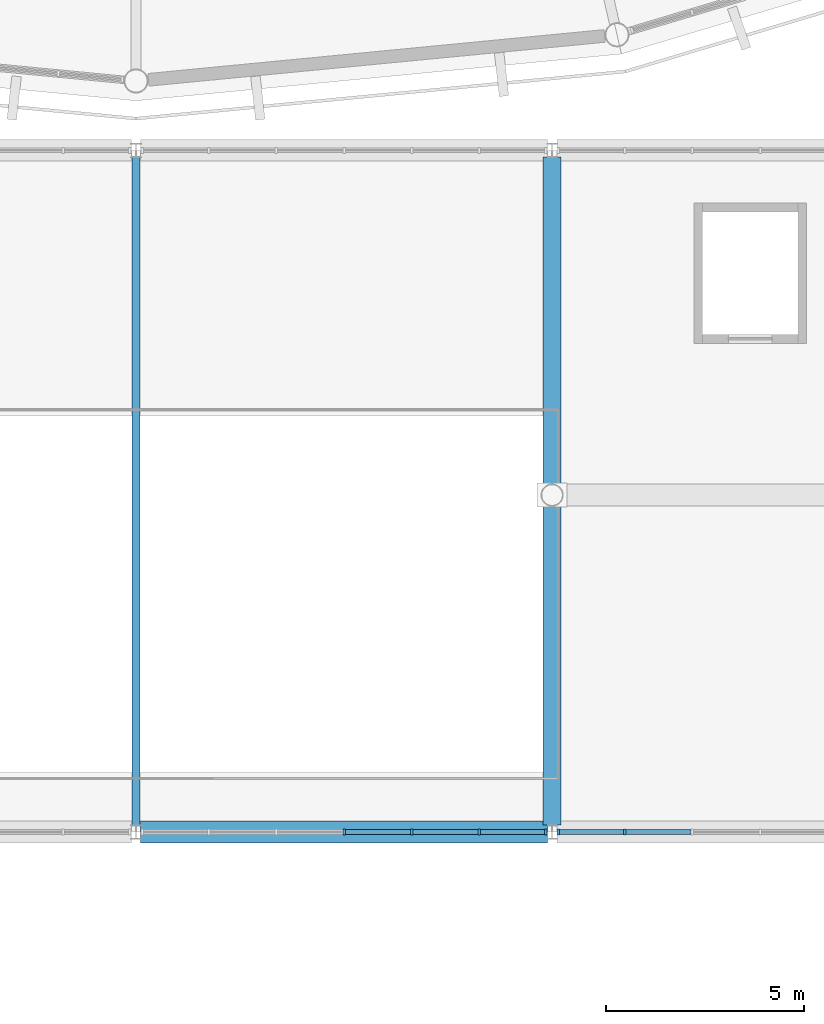
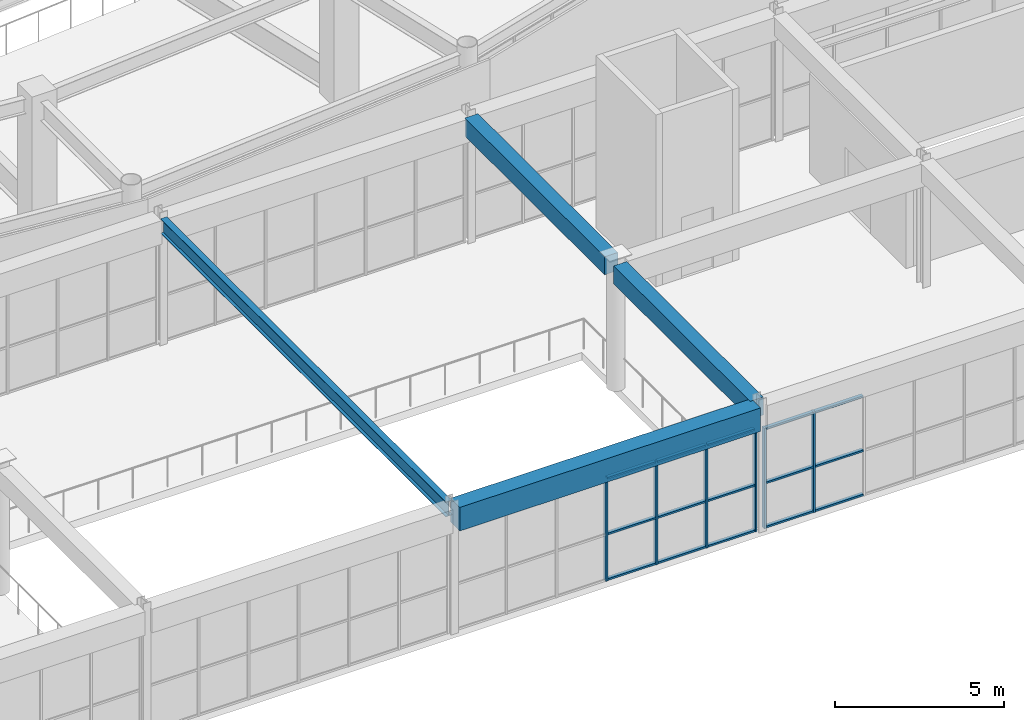
# One storey, part 31 of 122: 21 members, 4 beams, 2 elements without a shape of their own.
"""IFC4 building model written with IfcOpenShell, lengths in metres."""

from ifc_helpers import new_model, si_unit, direction, frame, origin, origin_2d, place, context, subcontext, project, spatial, rectangle, i_section, extrude, material, material_profile, profile_set, type_object, element, aggregate, save


model = new_model("IFC4")

# Units and contexts
model_context = context("Model", 3, precision=1e-05, world=origin(), true_north=direction((0.0, 1.0)))
body_context = subcontext(model_context, "Body", "Model", "MODEL_VIEW")
ifc_project = project(units=[si_unit("LENGTHUNIT", "METRE"), si_unit("AREAUNIT", "SQUARE_METRE"), si_unit("VOLUMEUNIT", "CUBIC_METRE"), si_unit("PLANEANGLEUNIT", "RADIAN"), si_unit("MASSUNIT", "GRAM", prefix="KILO")], contexts=[model_context])

# Site, building, storey
site_placement = place(None, origin())
site = spatial("IfcSite", under=ifc_project, at=site_placement, CompositionType="ELEMENT")
building_placement = place(site_placement, origin())
building = spatial("IfcBuilding", under=site, at=building_placement, Name="Cuetzalor Civic Arena", CompositionType="ELEMENT")
storey_placement = place(building_placement, frame((0.0, 0.0, 16.199951171875)))
storey = spatial("IfcBuildingStorey", under=building, at=storey_placement, Name="L03", CompositionType="ELEMENT", Elevation=16.199951171875)

# Beams
ifc_material_1 = material(Name="Concrete C40/50", Category="concrete")
ifc_material_profile_1 = material_profile(ifc_material_1, rectangle(XDim=0.550048828125, YDim=0.85009765625, at=origin_2d()), Name="RC 550x850")
ifc_profile_set_1 = profile_set([ifc_material_profile_1], Name="Concrete C40/50")
beam_type_1 = type_object("IfcBeamType", Name="ConcreteFrameBeam_550x850", PredefinedType="BEAM", material=ifc_profile_set_1)
beam_1_placement = place(storey_placement, frame((0.118408203125, -65.5, 4.155029296875), z_axis=(1.0, 0.0, 0.0), x_axis=(0.0, 1.0, 0.0)))
element("IfcBeam", 1, at=beam_1_placement, inside=storey, type_object=beam_type_1, Name="Frame Girder V3-L03-X0857", PredefinedType="BEAM", context=body_context, shape_type="SweptSolid", body=[
    extrude(rectangle(XDim=0.550048828125, YDim=0.85009765625, at=origin_2d()), origin(), (0.0, 0.0, 1.0), 10.26318359375),
])
ifc_material_2 = material(Name="Concrete C40/50", Category="concrete")
ifc_material_profile_2 = material_profile(ifc_material_2, rectangle(XDim=0.449951171875, YDim=0.64990234375, at=origin_2d()), Name="RC 450x650")
ifc_profile_set_2 = profile_set([ifc_material_profile_2], Name="Concrete C40/50")
beam_type_2 = type_object("IfcBeamType", Name="ConcreteTieBeam_450x650", PredefinedType="BEAM", material=ifc_profile_set_2)
beam_2_placement = place(storey_placement, frame((10.5, -65.32861328125, 4.255126953125), z_axis=(0.0, 1.0, 0.0), x_axis=(-1.0, 0.0, 0.0)))
element("IfcBeam", 2, at=beam_2_placement, inside=storey, type_object=beam_type_2, Name="Frame Girder V3-L03-Y0877", PredefinedType="BEAM", context=body_context, shape_type="SweptSolid", body=[
    extrude(rectangle(XDim=0.449951171875, YDim=0.64990234375, at=origin_2d()), origin(), (0.0, 0.0, 1.0), 8.05908203125),
])
beam_3_placement = place(storey_placement, frame((10.5, -56.73046875, 4.255126953125), z_axis=(0.0, 1.0, 0.0), x_axis=(-1.0, 0.0, 0.0)))
element("IfcBeam", 3, at=beam_3_placement, inside=storey, type_object=beam_type_2, Name="Frame Girder V3-L03-Y0878", PredefinedType="BEAM", context=body_context, shape_type="SweptSolid", body=[
    extrude(rectangle(XDim=0.449951171875, YDim=0.64990234375, at=origin_2d()), origin(), (0.0, 0.0, 1.0), 8.259033203125),
])

# Curtain wall, members
ifc_material_3 = material(Name="Anodised dark bronze aluminium and low-E solar glass", Category="aluminium")
curtain_wall_type_1 = type_object("IfcCurtainWallType", Name="StickCW_10250x3700", PredefinedType="USERDEFINED", material=ifc_material_3)
curtain_wall_1_placement = place(storey_placement, origin())
curtain_wall_1 = element("IfcCurtainWall", 4, at=curtain_wall_1_placement, inside=storey, type_object=curtain_wall_type_1, Name="Foyer Vault Clerestory Curtain Wall L03-097", ObjectType="STICK CURTAIN WALL", PredefinedType="USERDEFINED")
ifc_material_4 = material(Name="Anodised dark bronze aluminium", Category="aluminium")
ifc_material_profile_3 = material_profile(ifc_material_4, rectangle(XDim=0.06494140625, YDim=0.14990234375, at=origin_2d()), Name="ALU MULLION 65x150")
ifc_profile_set_3 = profile_set([ifc_material_profile_3], Name="Anodised dark bronze aluminium")
member_type_1 = type_object("IfcMemberType", Name="CurtainWallMullion_60x150", PredefinedType="MULLION", material=ifc_profile_set_3)
member_1_placement = place(storey_placement, frame((10.343017578125, -65.5, 0.0), z_axis=(0.0, 0.0, 1.0), x_axis=(-1.0, 0.0, 0.0)))
member_1 = element("IfcMember", 5, at=member_1_placement, type_object=member_type_1, Name="CW-30 mullion 1", PredefinedType="MULLION", context=body_context, shape_type="SweptSolid", body=[
    extrude(rectangle(XDim=0.06494140625, YDim=0.14990234375, at=origin_2d()), origin(), (0.0, 0.0, 1.0), 3.719970703125),
])
member_2_placement = place(storey_placement, frame((8.6669921875, -65.5, 0.0), z_axis=(0.0, 0.0, 1.0), x_axis=(-1.0, 0.0, 0.0)))
member_2 = element("IfcMember", 6, at=member_2_placement, type_object=member_type_1, Name="CW-30 mullion 2", PredefinedType="MULLION", context=body_context, shape_type="SweptSolid", body=[
    extrude(rectangle(XDim=0.06494140625, YDim=0.14990234375, at=origin_2d()), origin(), (0.0, 0.0, 1.0), 3.719970703125),
])
member_3_placement = place(storey_placement, frame((6.95849609375, -65.5, 0.0), z_axis=(0.0, 0.0, 1.0), x_axis=(-1.0, 0.0, 0.0)))
member_3 = element("IfcMember", 7, at=member_3_placement, type_object=member_type_1, Name="CW-30 mullion 3", PredefinedType="MULLION", context=body_context, shape_type="SweptSolid", body=[
    extrude(rectangle(XDim=0.06494140625, YDim=0.14990234375, at=origin_2d()), origin(), (0.0, 0.0, 1.0), 3.719970703125),
])
member_4_placement = place(storey_placement, frame((5.25, -65.5, 0.0), z_axis=(0.0, 0.0, 1.0), x_axis=(-1.0, 0.0, 0.0)))
member_4 = element("IfcMember", 8, at=member_4_placement, type_object=member_type_1, Name="CW-30 mullion 4", PredefinedType="MULLION", context=body_context, shape_type="SweptSolid", body=[
    extrude(rectangle(XDim=0.06494140625, YDim=0.14990234375, at=origin_2d()), origin(), (0.0, 0.0, 1.0), 3.719970703125),
])

ifc_material_5 = material(Name="Anodised dark bronze aluminium and low-E solar glass", Category="aluminium")
curtain_wall_type_2 = type_object("IfcCurtainWallType", Name="StickCW_10250x3600", PredefinedType="USERDEFINED", material=ifc_material_5)
curtain_wall_2_placement = place(storey_placement, origin())
curtain_wall_2 = element("IfcCurtainWall", 9, at=curtain_wall_2_placement, inside=storey, type_object=curtain_wall_type_2, Name="Foyer Vault Clerestory Curtain Wall L03-099", ObjectType="STICK CURTAIN WALL", PredefinedType="USERDEFINED")
member_5_placement = place(storey_placement, frame((12.3330078125, -65.5, 0.0), z_axis=(0.0, 0.0, 1.0), x_axis=(-1.0, 0.0, 0.0)))
member_5 = element("IfcMember", 10, at=member_5_placement, type_object=member_type_1, Name="CW-29 mullion 6", PredefinedType="MULLION", context=body_context, shape_type="SweptSolid", body=[
    extrude(rectangle(XDim=0.06494140625, YDim=0.14990234375, at=origin_2d()), origin(), (0.0, 0.0, 1.0), 3.6201171875),
])
member_6_placement = place(storey_placement, frame((10.656982421875, -65.5, 0.0), z_axis=(0.0, 0.0, 1.0), x_axis=(-1.0, 0.0, 0.0)))
member_6 = element("IfcMember", 11, at=member_6_placement, type_object=member_type_1, Name="CW-29 mullion 7", PredefinedType="MULLION", context=body_context, shape_type="SweptSolid", body=[
    extrude(rectangle(XDim=0.06494140625, YDim=0.14990234375, at=origin_2d()), origin(), (0.0, 0.0, 1.0), 3.6201171875),
])

# Member
ifc_material_6 = material(Name="Anodised dark bronze aluminium", Category="aluminium")
ifc_material_profile_4 = material_profile(ifc_material_6, rectangle(XDim=0.1201171875, YDim=0.06494140625, at=origin_2d()), Name="ALU TRANSOM 65x120")
ifc_profile_set_4 = profile_set([ifc_material_profile_4], Name="Anodised dark bronze aluminium")
member_type_2 = type_object("IfcMemberType", Name="CurtainWallTransom_60x120", PredefinedType="USERDEFINED", material=ifc_profile_set_4)
member_7_placement = place(storey_placement, frame((10.310546875, -65.5, 0.032470703125), z_axis=(-1.0, 0.0, 0.0), x_axis=(0.0, -1.0, 0.0)))
member_7 = element("IfcMember", 12, at=member_7_placement, type_object=member_type_2, Name="CW-30 transom 1.1", ObjectType="TRANSOM", PredefinedType="USERDEFINED", context=body_context, shape_type="SweptSolid", body=[
    extrude(rectangle(XDim=0.1201171875, YDim=0.06494140625, at=origin_2d()), origin(), (0.0, 0.0, 1.0), 1.611083984375),
])

member_8_placement = place(storey_placement, frame((10.310546875, -65.5, 1.674072265625), z_axis=(-1.0, 0.0, 0.0), x_axis=(0.0, -1.0, 0.0)))
member_8 = element("IfcMember", 13, at=member_8_placement, type_object=member_type_2, Name="CW-30 transom 1.2", ObjectType="TRANSOM", PredefinedType="USERDEFINED", context=body_context, shape_type="SweptSolid", body=[
    extrude(rectangle(XDim=0.1201171875, YDim=0.06494140625, at=origin_2d()), origin(), (0.0, 0.0, 1.0), 1.611083984375),
])

member_9_placement = place(storey_placement, frame((10.310546875, -65.5, 3.6875), z_axis=(-1.0, 0.0, 0.0), x_axis=(0.0, -1.0, 0.0)))
member_9 = element("IfcMember", 14, at=member_9_placement, type_object=member_type_2, Name="CW-30 transom 1.3", ObjectType="TRANSOM", PredefinedType="USERDEFINED", context=body_context, shape_type="SweptSolid", body=[
    extrude(rectangle(XDim=0.1201171875, YDim=0.06494140625, at=origin_2d()), origin(), (0.0, 0.0, 1.0), 1.611083984375),
])

member_10_placement = place(storey_placement, frame((8.634521484375, -65.5, 0.032470703125), z_axis=(-1.0, 0.0, 0.0), x_axis=(0.0, -1.0, 0.0)))
member_10 = element("IfcMember", 15, at=member_10_placement, type_object=member_type_2, Name="CW-30 transom 2.1", ObjectType="TRANSOM", PredefinedType="USERDEFINED", context=body_context, shape_type="SweptSolid", body=[
    extrude(rectangle(XDim=0.1201171875, YDim=0.06494140625, at=origin_2d()), origin(), (0.0, 0.0, 1.0), 1.6435546875),
])

member_11_placement = place(storey_placement, frame((8.634521484375, -65.5, 1.674072265625), z_axis=(-1.0, 0.0, 0.0), x_axis=(0.0, -1.0, 0.0)))
member_11 = element("IfcMember", 16, at=member_11_placement, type_object=member_type_2, Name="CW-30 transom 2.2", ObjectType="TRANSOM", PredefinedType="USERDEFINED", context=body_context, shape_type="SweptSolid", body=[
    extrude(rectangle(XDim=0.1201171875, YDim=0.06494140625, at=origin_2d()), origin(), (0.0, 0.0, 1.0), 1.6435546875),
])

member_12_placement = place(storey_placement, frame((8.634521484375, -65.5, 3.6875), z_axis=(-1.0, 0.0, 0.0), x_axis=(0.0, -1.0, 0.0)))
member_12 = element("IfcMember", 17, at=member_12_placement, type_object=member_type_2, Name="CW-30 transom 2.3", ObjectType="TRANSOM", PredefinedType="USERDEFINED", context=body_context, shape_type="SweptSolid", body=[
    extrude(rectangle(XDim=0.1201171875, YDim=0.06494140625, at=origin_2d()), origin(), (0.0, 0.0, 1.0), 1.6435546875),
])

member_13_placement = place(storey_placement, frame((6.926025390625, -65.5, 0.032470703125), z_axis=(-1.0, 0.0, 0.0), x_axis=(0.0, -1.0, 0.0)))
member_13 = element("IfcMember", 18, at=member_13_placement, type_object=member_type_2, Name="CW-30 transom 3.1", ObjectType="TRANSOM", PredefinedType="USERDEFINED", context=body_context, shape_type="SweptSolid", body=[
    extrude(rectangle(XDim=0.1201171875, YDim=0.06494140625, at=origin_2d()), origin(), (0.0, 0.0, 1.0), 1.6435546875),
])

member_14_placement = place(storey_placement, frame((6.926025390625, -65.5, 1.674072265625), z_axis=(-1.0, 0.0, 0.0), x_axis=(0.0, -1.0, 0.0)))
member_14 = element("IfcMember", 19, at=member_14_placement, type_object=member_type_2, Name="CW-30 transom 3.2", ObjectType="TRANSOM", PredefinedType="USERDEFINED", context=body_context, shape_type="SweptSolid", body=[
    extrude(rectangle(XDim=0.1201171875, YDim=0.06494140625, at=origin_2d()), origin(), (0.0, 0.0, 1.0), 1.6435546875),
])

member_15_placement = place(storey_placement, frame((6.926025390625, -65.5, 3.6875), z_axis=(-1.0, 0.0, 0.0), x_axis=(0.0, -1.0, 0.0)))
member_15 = element("IfcMember", 20, at=member_15_placement, type_object=member_type_2, Name="CW-30 transom 3.3", ObjectType="TRANSOM", PredefinedType="USERDEFINED", context=body_context, shape_type="SweptSolid", body=[
    extrude(rectangle(XDim=0.1201171875, YDim=0.06494140625, at=origin_2d()), origin(), (0.0, 0.0, 1.0), 1.6435546875),
])

aggregate(curtain_wall_1, [member_1, member_2, member_3, member_4, member_7, member_8, member_9, member_10, member_11, member_12, member_13, member_14, member_15])

member_16_placement = place(storey_placement, frame((14.009033203125, -65.5, 0.032470703125), z_axis=(-1.0, 0.0, 0.0), x_axis=(0.0, -1.0, 0.0)))
member_16 = element("IfcMember", 21, at=member_16_placement, type_object=member_type_2, Name="CW-29 transom 5.1", ObjectType="TRANSOM", PredefinedType="USERDEFINED", context=body_context, shape_type="SweptSolid", body=[
    extrude(rectangle(XDim=0.1201171875, YDim=0.06494140625, at=origin_2d()), origin(), (0.0, 0.0, 1.0), 1.6435546875),
])

member_17_placement = place(storey_placement, frame((14.009033203125, -65.5, 1.629150390625), z_axis=(-1.0, 0.0, 0.0), x_axis=(0.0, -1.0, 0.0)))
member_17 = element("IfcMember", 22, at=member_17_placement, type_object=member_type_2, Name="CW-29 transom 5.2", ObjectType="TRANSOM", PredefinedType="USERDEFINED", context=body_context, shape_type="SweptSolid", body=[
    extrude(rectangle(XDim=0.1201171875, YDim=0.06494140625, at=origin_2d()), origin(), (0.0, 0.0, 1.0), 1.6435546875),
])

member_18_placement = place(storey_placement, frame((14.009033203125, -65.5, 3.587646484375), z_axis=(-1.0, 0.0, 0.0), x_axis=(0.0, -1.0, 0.0)))
member_18 = element("IfcMember", 23, at=member_18_placement, type_object=member_type_2, Name="CW-29 transom 5.3", ObjectType="TRANSOM", PredefinedType="USERDEFINED", context=body_context, shape_type="SweptSolid", body=[
    extrude(rectangle(XDim=0.1201171875, YDim=0.06494140625, at=origin_2d()), origin(), (0.0, 0.0, 1.0), 1.6435546875),
])

member_19_placement = place(storey_placement, frame((12.300537109375, -65.5, 0.032470703125), z_axis=(-1.0, 0.0, 0.0), x_axis=(0.0, -1.0, 0.0)))
member_19 = element("IfcMember", 24, at=member_19_placement, type_object=member_type_2, Name="CW-29 transom 6.1", ObjectType="TRANSOM", PredefinedType="USERDEFINED", context=body_context, shape_type="SweptSolid", body=[
    extrude(rectangle(XDim=0.1201171875, YDim=0.06494140625, at=origin_2d()), origin(), (0.0, 0.0, 1.0), 1.611083984375),
])

member_20_placement = place(storey_placement, frame((12.300537109375, -65.5, 1.629150390625), z_axis=(-1.0, 0.0, 0.0), x_axis=(0.0, -1.0, 0.0)))
member_20 = element("IfcMember", 25, at=member_20_placement, type_object=member_type_2, Name="CW-29 transom 6.2", ObjectType="TRANSOM", PredefinedType="USERDEFINED", context=body_context, shape_type="SweptSolid", body=[
    extrude(rectangle(XDim=0.1201171875, YDim=0.06494140625, at=origin_2d()), origin(), (0.0, 0.0, 1.0), 1.611083984375),
])

member_21_placement = place(storey_placement, frame((12.300537109375, -65.5, 3.587646484375), z_axis=(-1.0, 0.0, 0.0), x_axis=(0.0, -1.0, 0.0)))
member_21 = element("IfcMember", 26, at=member_21_placement, type_object=member_type_2, Name="CW-29 transom 6.3", ObjectType="TRANSOM", PredefinedType="USERDEFINED", context=body_context, shape_type="SweptSolid", body=[
    extrude(rectangle(XDim=0.1201171875, YDim=0.06494140625, at=origin_2d()), origin(), (0.0, 0.0, 1.0), 1.611083984375),
])

aggregate(curtain_wall_2, [member_5, member_6, member_16, member_17, member_18, member_19, member_20, member_21])

# Beam
ifc_material_7 = material(Name="Steel S355", Category="steel")
ifc_material_profile_5 = material_profile(ifc_material_7, i_section(OverallWidth=0.208984375, OverallDepth=0.532958984375, WebThickness=0.01025390625, FlangeThickness=0.015625, at=origin_2d()), Name="W530x92")
ifc_profile_set_5 = profile_set([ifc_material_profile_5], Name="Steel S355")
beam_type_3 = type_object("IfcBeamType", Name="SteelCollarGirder_W530", PredefinedType="BEAM", material=ifc_profile_set_5)
beam_4_placement = place(storey_placement, frame((0.0, -65.32861328125, 4.3134765625), z_axis=(0.0, 1.0, 0.0), x_axis=(-1.0, 0.0, 0.0)))
element("IfcBeam", 27, at=beam_4_placement, inside=storey, type_object=beam_type_3, Name="Frame Girder V3-L03-Y0876", PredefinedType="BEAM", context=body_context, shape_type="SweptSolid", body=[
    extrude(i_section(OverallWidth=0.208984375, OverallDepth=0.532958984375, WebThickness=0.01025390625, FlangeThickness=0.015625, at=origin_2d()), origin(), (0.0, 0.0, 1.0), 16.857177734375),
])

save(model, "model.ifc")
